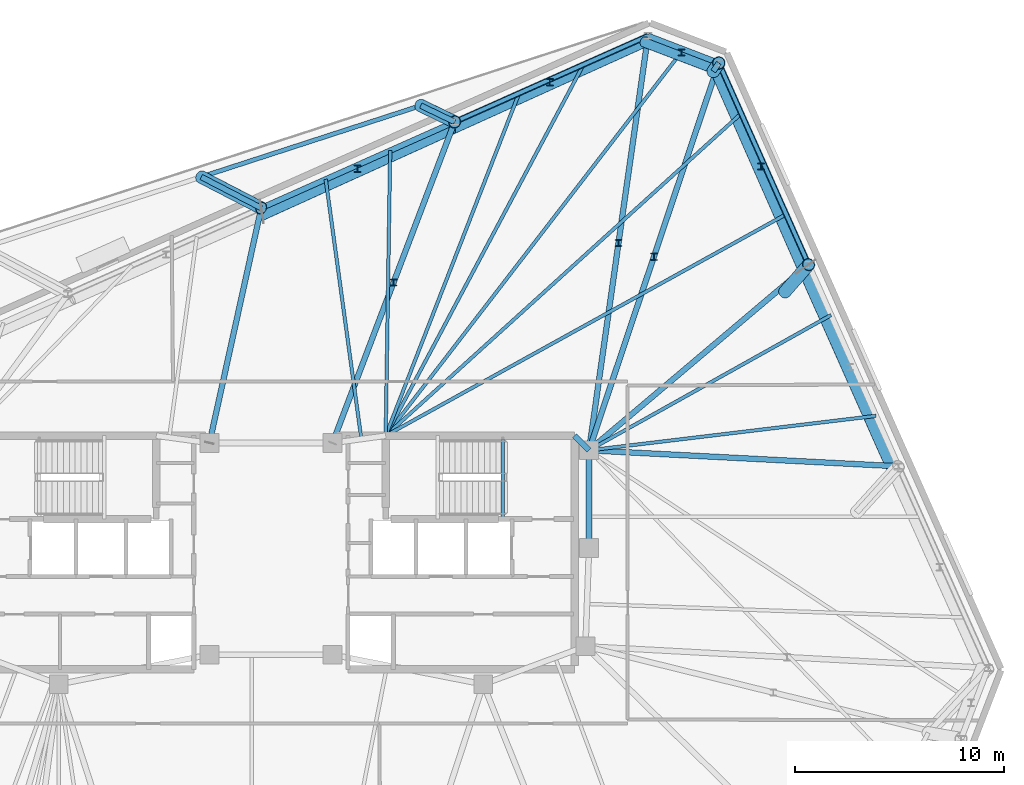
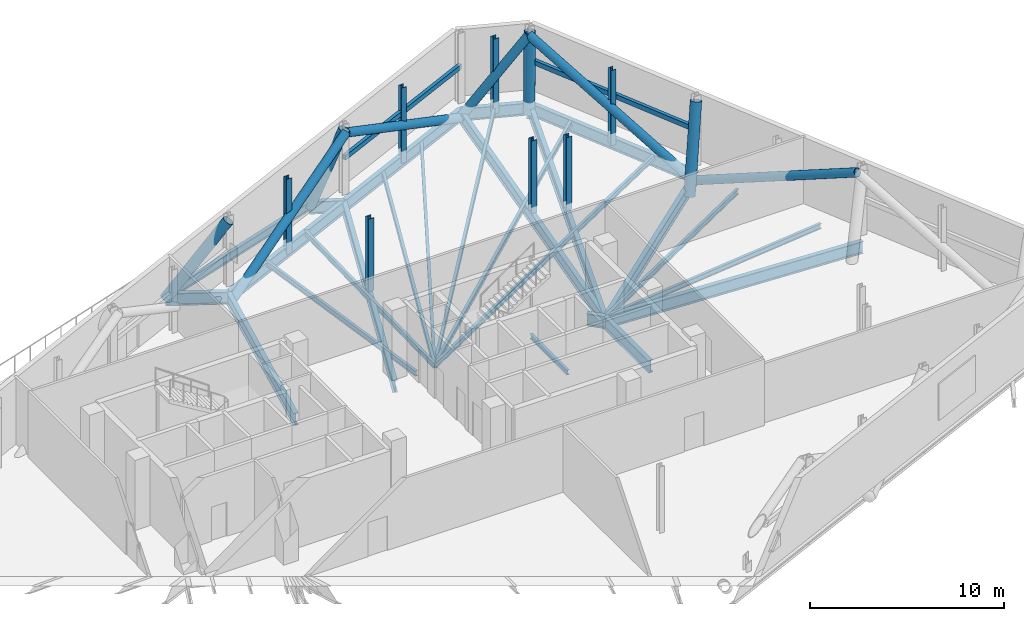
# One storey, part 7 of 15: 26 beams, 18 members.
"""IFC4 building model written with IfcOpenShell, lengths in metres."""

from ifc_helpers import new_model, si_unit, direction, frame, origin, origin_2d, place, context, subcontext, project, spatial, hollow_rectangle, hollow_circle, i_section, extrude, material, material_profile, profile_set, type_object, element, save


model = new_model("IFC4")

# Units and contexts
model_context = context("Model", 3, precision=1e-05, world=origin(), true_north=direction((0.0, 1.0)))
body_context = subcontext(model_context, "Body", "Model", "MODEL_VIEW")
ifc_project = project(units=[si_unit("LENGTHUNIT", "METRE"), si_unit("AREAUNIT", "SQUARE_METRE"), si_unit("VOLUMEUNIT", "CUBIC_METRE"), si_unit("PLANEANGLEUNIT", "RADIAN"), si_unit("MASSUNIT", "GRAM", prefix="KILO")], contexts=[model_context])

# Site, building, storey
site_placement = place(None, origin())
site = spatial("IfcSite", under=ifc_project, at=site_placement, CompositionType="ELEMENT")
building_placement = place(site_placement, origin())
building = spatial("IfcBuilding", under=site, at=building_placement, Name="Menara Jurai Vektor", CompositionType="ELEMENT")
storey_placement = place(building_placement, frame((0.0, 0.0, 254.449951171875)))
storey = spatial("IfcBuildingStorey", under=building, at=storey_placement, Name="L68", CompositionType="ELEMENT", Elevation=254.449951171875)

# Beams
ifc_material_1 = material(Name="Steel S355", Category="steel")
ifc_material_profile_1 = material_profile(ifc_material_1, i_section(OverallWidth=0.2109375, OverallDepth=0.5390625, WebThickness=0.011962890625, FlangeThickness=0.01904296875, FilletRadius=0.012939453125, at=origin_2d()), Name="UKB 533x210x109")
ifc_profile_set_1 = profile_set([ifc_material_profile_1], Name="Steel S355")
beam_type_1 = type_object("IfcBeamType", Name="STR-BM-533", PredefinedType="BEAM", material=ifc_profile_set_1)
beam_1_placement = place(storey_placement, frame((7.18359375, 21.4296875, -0.674560546875), z_axis=(-0.951057401967, -0.309014268544, 0.0), x_axis=(0.309014268544, -0.951057401967, 0.0)))
element("IfcBeam", 1, at=beam_1_placement, inside=storey, type_object=beam_type_1, Name="Step Terrace Edge Beam L68-12", PredefinedType="BEAM", context=body_context, shape_type="SweptSolid", body=[
    extrude(i_section(OverallWidth=0.2109375, OverallDepth=0.5390625, WebThickness=0.011962890625, FlangeThickness=0.01904296875, FilletRadius=0.012939453125, at=origin_2d()), origin(), (0.0, 0.0, 1.0), 11.071044921875),
])
ifc_material_2 = material(Name="Steel S460", Category="steel")
ifc_material_profile_2 = material_profile(ifc_material_2, i_section(OverallWidth=0.26806640625, OverallDepth=0.77001953125, WebThickness=0.01611328125, FlangeThickness=0.02490234375, FilletRadius=0.01708984375, at=origin_2d()), Name="UKB 762x267x197")
ifc_profile_set_2 = profile_set([ifc_material_profile_2], Name="Steel S460")
beam_type_2 = type_object("IfcBeamType", Name="STR-BM-TR762", PredefinedType="BEAM", material=ifc_profile_set_2)
beam_2_placement = place(storey_placement, frame((14.56005859375, 5.60009765625, -0.7900390625), z_axis=(0.701871936926, -0.712303154672, 0.0), x_axis=(0.712303154672, 0.701871936926, 0.0)))
element("IfcBeam", 2, at=beam_2_placement, inside=storey, type_object=beam_type_2, Name="Core Ring Header Girder L68-CHE-N2", PredefinedType="BEAM", context=body_context, shape_type="SweptSolid", body=[
    extrude(i_section(OverallWidth=0.26806640625, OverallDepth=0.77001953125, WebThickness=0.01611328125, FlangeThickness=0.02490234375, FilletRadius=0.01708984375, at=origin_2d()), origin(), (0.0, 0.0, 1.0), 0.98291015625),
])
beam_3_placement = place(storey_placement, frame((15.25, 0.219970703125, -0.7900390625), z_axis=(0.0, 1.0, 0.0), x_axis=(-1.0, 0.0, 0.0)))
element("IfcBeam", 3, at=beam_3_placement, inside=storey, type_object=beam_type_2, Name="Core Ring Header Girder L68-CHE-E1", PredefinedType="BEAM", context=body_context, shape_type="SweptSolid", body=[
    extrude(i_section(OverallWidth=0.26806640625, OverallDepth=0.77001953125, WebThickness=0.01611328125, FlangeThickness=0.02490234375, FilletRadius=0.01708984375, at=origin_2d()), origin(), (0.0, 0.0, 1.0), 4.679931640625),
])
beam_4_placement = place(storey_placement, frame((30.086181640625, 4.13330078125, -0.7900390625), z_axis=(-0.998667716832, 0.051602241782, 0.0), x_axis=(-0.051602241782, -0.998667716832, 0.0)))
element("IfcBeam", 4, at=beam_4_placement, inside=storey, type_object=beam_type_2, Name="Outrigger Transfer Girder L68-E2", PredefinedType="BEAM", context=body_context, shape_type="SweptSolid", body=[
    extrude(i_section(OverallWidth=0.26806640625, OverallDepth=0.77001953125, WebThickness=0.01611328125, FlangeThickness=0.02490234375, FilletRadius=0.01708984375, at=origin_2d()), origin(), (0.0, 0.0, 1.0), 14.85595703125),
])
beam_5_placement = place(storey_placement, frame((25.781005859375, 13.80322265625, -0.7900390625), z_axis=(-0.40673543049, 0.91354599752, 0.0), x_axis=(-0.91354599752, -0.40673543049, 0.0)))
element("IfcBeam", 5, at=beam_5_placement, inside=storey, type_object=beam_type_2, Name="Belt Truss Bottom Chord L68-09", PredefinedType="BEAM", context=body_context, shape_type="SweptSolid", body=[
    extrude(i_section(OverallWidth=0.26806640625, OverallDepth=0.77001953125, WebThickness=0.01611328125, FlangeThickness=0.02490234375, FilletRadius=0.01708984375, at=origin_2d()), origin(), (0.0, 0.0, 1.0), 10.585205078125),
])
beam_6_placement = place(storey_placement, frame((25.781005859375, 13.80322265625, -0.7900390625), z_axis=(-0.763655500673, -0.6456239434, 0.0), x_axis=(0.6456239434, -0.763655500673, 0.0)))
element("IfcBeam", 6, at=beam_6_placement, inside=storey, type_object=beam_type_2, Name="Outrigger Transfer Girder L68-E3", PredefinedType="BEAM", context=body_context, shape_type="SweptSolid", body=[
    extrude(i_section(OverallWidth=0.26806640625, OverallDepth=0.77001953125, WebThickness=0.01611328125, FlangeThickness=0.02490234375, FilletRadius=0.01708984375, at=origin_2d()), origin(), (0.0, 0.0, 1.0), 13.790283203125),
])
beam_7_placement = place(storey_placement, frame((21.4755859375, 23.473388671875, -0.7900390625), z_axis=(-0.933570293083, 0.358394346877, 0.0), x_axis=(-0.358394346877, -0.933570293083, 0.0)))
element("IfcBeam", 7, at=beam_7_placement, inside=storey, type_object=beam_type_2, Name="Belt Truss Bottom Chord L68-10", PredefinedType="BEAM", context=body_context, shape_type="SweptSolid", body=[
    extrude(i_section(OverallWidth=0.26806640625, OverallDepth=0.77001953125, WebThickness=0.01611328125, FlangeThickness=0.02490234375, FilletRadius=0.01708984375, at=origin_2d()), origin(), (0.0, 0.0, 1.0), 3.6376953125),
])
beam_8_placement = place(storey_placement, frame((21.205810546875, 23.071044921875, -0.7900390625), z_axis=(0.556908038617, 0.830574160761, 0.0), x_axis=(-0.830574160761, 0.556908038617, 0.0)))
element("IfcBeam", 8, at=beam_8_placement, inside=storey, type_object=beam_type_2, Name="Cantilever Transfer Girder L68-E4", PredefinedType="BEAM", context=body_context, shape_type="SweptSolid", body=[
    extrude(i_section(OverallWidth=0.26806640625, OverallDepth=0.77001953125, WebThickness=0.01611328125, FlangeThickness=0.02490234375, FilletRadius=0.01708984375, at=origin_2d()), origin(), (0.0, 0.0, 1.0), 0.484375),
])
beam_9_placement = place(storey_placement, frame((21.4755859375, 23.473388671875, -0.7900390625), z_axis=(-0.317808893183, -0.948154790851, 0.0), x_axis=(0.948154790851, -0.317808893183, 0.0)))
element("IfcBeam", 9, at=beam_9_placement, inside=storey, type_object=beam_type_2, Name="Outrigger Transfer Girder L68-E4", PredefinedType="BEAM", context=body_context, shape_type="SweptSolid", body=[
    extrude(i_section(OverallWidth=0.26806640625, OverallDepth=0.77001953125, WebThickness=0.01611328125, FlangeThickness=0.02490234375, FilletRadius=0.01708984375, at=origin_2d()), origin(), (0.0, 0.0, 1.0), 19.589111328125),
])
beam_10_placement = place(storey_placement, frame((18.07958984375, 24.777099609375, -0.7900390625), z_axis=(-0.913545561407, -0.406736410017, 0.0), x_axis=(0.406736410017, -0.913545561407, 0.0)))
element("IfcBeam", 10, at=beam_10_placement, inside=storey, type_object=beam_type_2, Name="Belt Truss Bottom Chord L68-11", PredefinedType="BEAM", context=body_context, shape_type="SweptSolid", body=[
    extrude(i_section(OverallWidth=0.26806640625, OverallDepth=0.77001953125, WebThickness=0.01611328125, FlangeThickness=0.02490234375, FilletRadius=0.01708984375, at=origin_2d()), origin(), (0.0, 0.0, 1.0), 10.1513671875),
])
beam_11_placement = place(storey_placement, frame((18.07958984375, 24.777099609375, -0.7900390625), z_axis=(-0.140932755913, -0.990019170678, 0.0), x_axis=(0.990019170678, -0.140932755913, 0.0)))
element("IfcBeam", 11, at=beam_11_placement, inside=storey, type_object=beam_type_2, Name="Outrigger Transfer Girder L68-N1", PredefinedType="BEAM", context=body_context, shape_type="SweptSolid", body=[
    extrude(i_section(OverallWidth=0.26806640625, OverallDepth=0.77001953125, WebThickness=0.01611328125, FlangeThickness=0.02490234375, FilletRadius=0.01708984375, at=origin_2d()), origin(), (0.0, 0.0, 1.0), 20.07763671875),
])
beam_12_placement = place(storey_placement, frame((8.805908203125, 20.648193359375, -0.7900390625), z_axis=(-0.913541582548, -0.406745346568, 0.0), x_axis=(0.406745346568, -0.913541582548, 0.0)))
element("IfcBeam", 12, at=beam_12_placement, inside=storey, type_object=beam_type_2, Name="Belt Truss Bottom Chord L68-12", PredefinedType="BEAM", context=body_context, shape_type="SweptSolid", body=[
    extrude(i_section(OverallWidth=0.26806640625, OverallDepth=0.77001953125, WebThickness=0.01611328125, FlangeThickness=0.02490234375, FilletRadius=0.01708984375, at=origin_2d()), origin(), (0.0, 0.0, 1.0), 10.151123046875),
])
beam_13_placement = place(storey_placement, frame((7.18359375, 21.4296875, -0.7900390625), z_axis=(0.900919219341, -0.433986820333, 0.0), x_axis=(0.433986820333, 0.900919219341, 0.0)))
element("IfcBeam", 13, at=beam_13_placement, inside=storey, type_object=beam_type_2, Name="Cantilever Transfer Girder L68-N2", PredefinedType="BEAM", context=body_context, shape_type="SweptSolid", body=[
    extrude(i_section(OverallWidth=0.26806640625, OverallDepth=0.77001953125, WebThickness=0.01611328125, FlangeThickness=0.02490234375, FilletRadius=0.01708984375, at=origin_2d()), origin(), (0.0, 0.0, 1.0), 1.80078125),
])
beam_14_placement = place(storey_placement, frame((8.805908203125, 20.648193359375, -0.7900390625), z_axis=(-0.355464051758, -0.934689952823, 0.0), x_axis=(0.934689952823, -0.355464051758, 0.0)))
element("IfcBeam", 14, at=beam_14_placement, inside=storey, type_object=beam_type_2, Name="Outrigger Transfer Girder L68-N2", PredefinedType="BEAM", context=body_context, shape_type="SweptSolid", body=[
    extrude(i_section(OverallWidth=0.26806640625, OverallDepth=0.77001953125, WebThickness=0.01611328125, FlangeThickness=0.02490234375, FilletRadius=0.01708984375, at=origin_2d()), origin(), (0.0, 0.0, 1.0), 16.47412109375),
])
beam_15_placement = place(storey_placement, frame((-3.345703125, 18.008544921875, -0.7900390625), z_axis=(0.888148727308, -0.459556131697, 0.0), x_axis=(0.459556131697, 0.888148727308, 0.0)))
element("IfcBeam", 15, at=beam_15_placement, inside=storey, type_object=beam_type_2, Name="Cantilever Transfer Girder L68-N3", PredefinedType="BEAM", context=body_context, shape_type="SweptSolid", body=[
    extrude(i_section(OverallWidth=0.26806640625, OverallDepth=0.77001953125, WebThickness=0.01611328125, FlangeThickness=0.02490234375, FilletRadius=0.01708984375, at=origin_2d()), origin(), (0.0, 0.0, 1.0), 3.24072265625),
])
beam_16_placement = place(storey_placement, frame((-0.467529296875, 16.519287109375, -0.7900390625), z_axis=(-0.215124522255, -0.976586626943, 0.0), x_axis=(0.976586626943, -0.215124522255, 0.0)))
element("IfcBeam", 16, at=beam_16_placement, inside=storey, type_object=beam_type_2, Name="Outrigger Transfer Girder L68-N3", PredefinedType="BEAM", context=body_context, shape_type="SweptSolid", body=[
    extrude(i_section(OverallWidth=0.26806640625, OverallDepth=0.77001953125, WebThickness=0.01611328125, FlangeThickness=0.02490234375, FilletRadius=0.01708984375, at=origin_2d()), origin(), (0.0, 0.0, 1.0), 11.53955078125),
])

# Members
ifc_material_profile_3 = material_profile(ifc_material_2, hollow_circle(Radius=0.25390625, WallThickness=0.02001953125, at=origin_2d()), Name="CHS 508x20")
ifc_profile_set_3 = profile_set([ifc_material_profile_3], Name="Steel S460")
member_type_1 = type_object("IfcMemberType", Name="STR-BR-508", PredefinedType="BRACE", material=ifc_profile_set_3)
member_1_placement = place(storey_placement, frame((25.50146484375, 13.609619140625, -0.7900390625), z_axis=(0.369567481954, -0.830063326807, 0.417629919633), x_axis=(0.913545671014, 0.406736163836, 0.0)))
element("IfcMember", 17, at=member_1_placement, inside=storey, type_object=member_type_1, Name="Belt Truss Web Diagonal L68-08", PredefinedType="BRACE", context=body_context, shape_type="SweptSolid", body=[
    extrude(hollow_circle(Radius=0.25390625, WallThickness=0.02001953125, at=origin_2d()), origin(), (0.0, 0.0, 1.0), 11.510498046875),
])
member_2_placement = place(storey_placement, frame((25.50146484375, 13.609619140625, -0.7900390625), z_axis=(-0.366660881006, 0.831714850541, 0.416905511752), x_axis=(-0.915028335647, -0.403389569726, 0.0)))
element("IfcMember", 18, at=member_2_placement, inside=storey, type_object=member_type_1, Name="Belt Truss Web Diagonal L68-09", PredefinedType="BRACE", context=body_context, shape_type="SweptSolid", body=[
    extrude(hollow_circle(Radius=0.25390625, WallThickness=0.02001953125, at=origin_2d()), origin(), (0.0, 0.0, 1.0), 11.530517578125),
])
member_3_placement = place(storey_placement, frame((17.90966796875, 24.482421875, -0.7900390625), z_axis=(0.560121276938, -0.213576978666, 0.800405540526), x_axis=(0.356282939978, 0.934378117617, 0.0)))
element("IfcMember", 19, at=member_3_placement, inside=storey, type_object=member_type_1, Name="Belt Truss Web Diagonal L68-10", PredefinedType="BRACE", context=body_context, shape_type="SweptSolid", body=[
    extrude(hollow_circle(Radius=0.25390625, WallThickness=0.02001953125, at=origin_2d()), origin(), (0.0, 0.0, 1.0), 6.005859375),
])
member_4_placement = place(storey_placement, frame((17.90966796875, 24.482421875, -0.7900390625), z_axis=(-0.822494297747, -0.372286662782, 0.430006710282), x_axis=(0.412357187345, -0.911022255516, 0.0)))
element("IfcMember", 20, at=member_4_placement, inside=storey, type_object=member_type_1, Name="Belt Truss Web Diagonal L68-11", PredefinedType="BRACE", context=body_context, shape_type="SweptSolid", body=[
    extrude(hollow_circle(Radius=0.25390625, WallThickness=0.02001953125, at=origin_2d()), origin(), (0.0, 0.0, 1.0), 11.17919921875),
])
member_5_placement = place(storey_placement, frame((-0.41650390625, 16.18310546875, -0.7900390625), z_axis=(0.821316804625, 0.372142021495, 0.432376019546), x_axis=(-0.412714592074, 0.910860398463, 0.0)))
element("IfcMember", 21, at=member_5_placement, inside=storey, type_object=member_type_1, Name="Belt Truss Web Diagonal L68-12", PredefinedType="BRACE", context=body_context, shape_type="SweptSolid", body=[
    extrude(hollow_circle(Radius=0.25390625, WallThickness=0.02001953125, at=origin_2d()), origin(), (0.0, 0.0, 1.0), 11.117919921875),
])
ifc_material_profile_4 = material_profile(ifc_material_2, hollow_rectangle(XDim=0.199951171875, YDim=0.300048828125, WallThickness=0.012451171875, at=origin_2d()), Name="RHS 300x200x12.5")
ifc_profile_set_4 = profile_set([ifc_material_profile_4], Name="Steel S460")
member_type_2 = type_object("IfcMemberType", Name="STR-CH-RHS300", PredefinedType="CHORD", material=ifc_profile_set_4)
member_6_placement = place(storey_placement, frame((25.781005859375, 13.80322265625, 2.22998046875), z_axis=(-0.40673543049, 0.91354599752, 0.0), x_axis=(-0.91354599752, -0.40673543049, 0.0)))
element("IfcMember", 22, at=member_6_placement, inside=storey, type_object=member_type_2, Name="Belt Truss Mid Chord L68-09", PredefinedType="CHORD", context=body_context, shape_type="SweptSolid", body=[
    extrude(hollow_rectangle(XDim=0.199951171875, YDim=0.300048828125, WallThickness=0.012451171875, at=origin_2d()), origin(), (0.0, 0.0, 1.0), 10.585205078125),
])
member_7_placement = place(storey_placement, frame((18.07958984375, 24.777099609375, 2.22998046875), z_axis=(-0.913545561407, -0.406736410017, 0.0), x_axis=(0.406736410017, -0.913545561407, 0.0)))
element("IfcMember", 23, at=member_7_placement, inside=storey, type_object=member_type_2, Name="Belt Truss Mid Chord L68-11", PredefinedType="CHORD", context=body_context, shape_type="SweptSolid", body=[
    extrude(hollow_rectangle(XDim=0.199951171875, YDim=0.300048828125, WallThickness=0.012451171875, at=origin_2d()), origin(), (0.0, 0.0, 1.0), 10.1513671875),
])

# Beams
ifc_material_profile_5 = material_profile(ifc_material_1, i_section(OverallWidth=0.1650390625, OverallDepth=0.330078125, WebThickness=0.009033203125, FlangeThickness=0.013916015625, at=origin_2d()), Name="PG 330x165x46")
ifc_profile_set_5 = profile_set([ifc_material_profile_5], Name="Steel S355")
beam_type_3 = type_object("IfcBeamType", Name="STR-JS-330", PredefinedType="JOIST", material=ifc_profile_set_5)
beam_17_placement = place(storey_placement, frame((29.010009765625, 6.55078125, -0.570068359375), z_axis=(-0.992879589053, -0.119122296999, 0.0), x_axis=(0.119122296999, -0.992879589053, 0.0)))
element("IfcBeam", 24, at=beam_17_placement, inside=storey, type_object=beam_type_3, Name="Radial Secondary Floor Joist L68-JS10", PredefinedType="JOIST", context=body_context, shape_type="SweptSolid", body=[
    extrude(i_section(OverallWidth=0.1650390625, OverallDepth=0.330078125, WebThickness=0.009033203125, FlangeThickness=0.013916015625, at=origin_2d()), origin(), (0.0, 0.0, 1.0), 13.858642578125),
])
beam_18_placement = place(storey_placement, frame((26.857177734375, 11.3857421875, -0.570068359375), z_axis=(-0.872960269613, -0.487791315705, 0.0), x_axis=(0.487791315705, -0.872960269613, 0.0)))
element("IfcBeam", 25, at=beam_18_placement, inside=storey, type_object=beam_type_3, Name="Radial Secondary Floor Joist L68-JS11", PredefinedType="JOIST", context=body_context, shape_type="SweptSolid", body=[
    extrude(i_section(OverallWidth=0.1650390625, OverallDepth=0.330078125, WebThickness=0.009033203125, FlangeThickness=0.013916015625, at=origin_2d()), origin(), (0.0, 0.0, 1.0), 13.29638671875),
])
beam_19_placement = place(storey_placement, frame((24.70458984375, 16.220703125, -0.570068359375), z_axis=(-0.87509599458, -0.483949377797, 0.0), x_axis=(0.483949377797, -0.87509599458, 0.0)))
element("IfcBeam", 26, at=beam_19_placement, inside=storey, type_object=beam_type_3, Name="Radial Secondary Floor Joist L68-JS12", PredefinedType="JOIST", context=body_context, shape_type="SweptSolid", body=[
    extrude(i_section(OverallWidth=0.1650390625, OverallDepth=0.330078125, WebThickness=0.009033203125, FlangeThickness=0.013916015625, at=origin_2d()), origin(), (0.0, 0.0, 1.0), 21.94580078125),
])
beam_20_placement = place(storey_placement, frame((22.552001953125, 21.055908203125, -0.570068359375), z_axis=(-0.74093432875, -0.67157748658, 0.0), x_axis=(0.67157748658, -0.74093432875, 0.0)))
element("IfcBeam", 27, at=beam_20_placement, inside=storey, type_object=beam_type_3, Name="Radial Secondary Floor Joist L68-JS13", PredefinedType="JOIST", context=body_context, shape_type="SweptSolid", body=[
    extrude(i_section(OverallWidth=0.1650390625, OverallDepth=0.330078125, WebThickness=0.009033203125, FlangeThickness=0.013916015625, at=origin_2d()), origin(), (0.0, 0.0, 1.0), 23.01416015625),
])
beam_21_placement = place(storey_placement, frame((19.777587890625, 24.125244140625, -0.570068359375), z_axis=(-0.610448519134, -0.792055935832, 0.0), x_axis=(0.792055935832, -0.610448519134, 0.0)))
element("IfcBeam", 28, at=beam_21_placement, inside=storey, type_object=beam_type_3, Name="Radial Secondary Floor Joist L68-JS14", PredefinedType="JOIST", context=body_context, shape_type="SweptSolid", body=[
    extrude(i_section(OverallWidth=0.1650390625, OverallDepth=0.330078125, WebThickness=0.009033203125, FlangeThickness=0.013916015625, at=origin_2d()), origin(), (0.0, 0.0, 1.0), 23.388671875),
])
beam_22_placement = place(storey_placement, frame((14.98828125, 23.400634765625, -0.570068359375), z_axis=(-0.470382173413, -0.882462809945, 0.0), x_axis=(0.882462809945, -0.470382173413, 0.0)))
element("IfcBeam", 29, at=beam_22_placement, inside=storey, type_object=beam_type_3, Name="Radial Secondary Floor Joist L68-JS15", PredefinedType="JOIST", context=body_context, shape_type="SweptSolid", body=[
    extrude(i_section(OverallWidth=0.1650390625, OverallDepth=0.330078125, WebThickness=0.009033203125, FlangeThickness=0.013916015625, at=origin_2d()), origin(), (0.0, 0.0, 1.0), 20.17138671875),
])
beam_23_placement = place(storey_placement, frame((11.897216796875, 22.0244140625, -0.570068359375), z_axis=(-0.36293816309, -0.931813226872, 0.0), x_axis=(0.931813226872, -0.36293816309, 0.0)))
element("IfcBeam", 30, at=beam_23_placement, inside=storey, type_object=beam_type_3, Name="Radial Secondary Floor Joist L68-JS16", PredefinedType="JOIST", context=body_context, shape_type="SweptSolid", body=[
    extrude(i_section(OverallWidth=0.1650390625, OverallDepth=0.330078125, WebThickness=0.009033203125, FlangeThickness=0.013916015625, at=origin_2d()), origin(), (0.0, 0.0, 1.0), 17.626220703125),
])
beam_24_placement = place(storey_placement, frame((5.71484375, 19.27197265625, -0.570068359375), z_axis=(-0.01571234584, -0.999876553475, 0.0), x_axis=(0.999876553475, -0.01571234584, 0.0)))
element("IfcBeam", 31, at=beam_24_placement, inside=storey, type_object=beam_type_3, Name="Radial Secondary Floor Joist L68-JS17", PredefinedType="JOIST", context=body_context, shape_type="SweptSolid", body=[
    extrude(i_section(OverallWidth=0.1650390625, OverallDepth=0.330078125, WebThickness=0.009033203125, FlangeThickness=0.013916015625, at=origin_2d()), origin(), (0.0, 0.0, 1.0), 13.673583984375),
])
beam_25_placement = place(storey_placement, frame((2.62353515625, 17.8955078125, -0.570068359375), z_axis=(0.13599011119, -0.990710194587, 0.0), x_axis=(0.990710194587, 0.13599011119, 0.0)))
element("IfcBeam", 32, at=beam_25_placement, inside=storey, type_object=beam_type_3, Name="Radial Secondary Floor Joist L68-JS18", PredefinedType="JOIST", context=body_context, shape_type="SweptSolid", body=[
    extrude(i_section(OverallWidth=0.1650390625, OverallDepth=0.330078125, WebThickness=0.009033203125, FlangeThickness=0.013916015625, at=origin_2d()), origin(), (0.0, 0.0, 1.0), 12.572265625),
])
ifc_material_profile_6 = material_profile(ifc_material_1, i_section(OverallWidth=0.1650390625, OverallDepth=0.302978515625, WebThickness=0.006103515625, FlangeThickness=0.010009765625, FilletRadius=0.009033203125, at=origin_2d()), Name="UKB 305x165x40")
ifc_profile_set_6 = profile_set([ifc_material_profile_6], Name="Steel S355")
beam_type_4 = type_object("IfcBeamType", Name="STR-LN-305", PredefinedType="LINTEL", material=ifc_profile_set_6)
beam_26_placement = place(storey_placement, frame((11.1201171875, 1.60009765625, -0.556396484375), z_axis=(0.0, 1.0, 0.0), x_axis=(-1.0, 0.0, 0.0)))
element("IfcBeam", 33, at=beam_26_placement, inside=storey, type_object=beam_type_4, Name="Stair Well Floor Trimmer ST2 L68", PredefinedType="LINTEL", context=body_context, shape_type="SweptSolid", body=[
    extrude(i_section(OverallWidth=0.1650390625, OverallDepth=0.302978515625, WebThickness=0.006103515625, FlangeThickness=0.010009765625, FilletRadius=0.009033203125, at=origin_2d()), origin(), (0.0, 0.0, 1.0), 3.81982421875),
])

# Members
ifc_material_profile_7 = material_profile(ifc_material_2, i_section(OverallWidth=0.31103515625, OverallDepth=0.326904296875, WebThickness=0.01611328125, FlangeThickness=0.02490234375, FilletRadius=0.014892578125, at=origin_2d()), Name="UKC 305x305x158")
ifc_profile_set_7 = profile_set([ifc_material_profile_7], Name="Steel S460")
member_type_3 = type_object("IfcMemberType", Name="STR-POST-305", PredefinedType="POST", material=ifc_profile_set_7)
member_8_placement = place(storey_placement, frame((23.50048828125, 18.51171875, -0.7548828125), z_axis=(0.0, 0.0, 1.0), x_axis=(1.0, 0.0, 0.0)))
element("IfcMember", 34, at=member_8_placement, inside=storey, type_object=member_type_3, Name="Belt Truss Vertical Web Post L68-09", PredefinedType="POST", context=body_context, shape_type="SweptSolid", body=[
    extrude(i_section(OverallWidth=0.31103515625, OverallDepth=0.326904296875, WebThickness=0.01611328125, FlangeThickness=0.02490234375, FilletRadius=0.014892578125, at=origin_2d()), origin(), (0.0, 0.0, 1.0), 4.72998046875),
])
member_9_placement = place(storey_placement, frame((18.36279296875, 14.186767578125, -0.405029296875), z_axis=(0.0, 0.0, 1.0), x_axis=(1.0, 0.0, 0.0)))
element("IfcMember", 35, at=member_9_placement, inside=storey, type_object=member_type_3, Name="Girder Hanger L68-E4", PredefinedType="POST", context=body_context, shape_type="SweptSolid", body=[
    extrude(i_section(OverallWidth=0.31103515625, OverallDepth=0.326904296875, WebThickness=0.01611328125, FlangeThickness=0.02490234375, FilletRadius=0.014892578125, at=origin_2d()), origin(), (0.0, 0.0, 1.0), 4.580078125),
])
member_10_placement = place(storey_placement, frame((19.678955078125, 23.974609375, -0.7548828125), z_axis=(0.0, 0.0, 1.0), x_axis=(1.0, 0.0, 0.0)))
element("IfcMember", 36, at=member_10_placement, inside=storey, type_object=member_type_3, Name="Belt Truss Vertical Web Post L68-10", PredefinedType="POST", context=body_context, shape_type="SweptSolid", body=[
    extrude(i_section(OverallWidth=0.31103515625, OverallDepth=0.326904296875, WebThickness=0.01611328125, FlangeThickness=0.02490234375, FilletRadius=0.014892578125, at=origin_2d()), origin(), (0.0, 0.0, 1.0), 4.72998046875),
])
member_11_placement = place(storey_placement, frame((16.664794921875, 14.83837890625, -0.405029296875), z_axis=(0.0, 0.0, 1.0), x_axis=(1.0, 0.0, 0.0)))
element("IfcMember", 37, at=member_11_placement, inside=storey, type_object=member_type_3, Name="Girder Hanger L68-N1", PredefinedType="POST", context=body_context, shape_type="SweptSolid", body=[
    extrude(i_section(OverallWidth=0.31103515625, OverallDepth=0.326904296875, WebThickness=0.01611328125, FlangeThickness=0.02490234375, FilletRadius=0.014892578125, at=origin_2d()), origin(), (0.0, 0.0, 1.0), 4.580078125),
])
member_12_placement = place(storey_placement, frame((13.370361328125, 22.5478515625, -0.7548828125), z_axis=(0.0, 0.0, 1.0), x_axis=(1.0, 0.0, 0.0)))
element("IfcMember", 38, at=member_12_placement, inside=storey, type_object=member_type_3, Name="Belt Truss Vertical Web Post L68-11", PredefinedType="POST", context=body_context, shape_type="SweptSolid", body=[
    extrude(i_section(OverallWidth=0.31103515625, OverallDepth=0.326904296875, WebThickness=0.01611328125, FlangeThickness=0.02490234375, FilletRadius=0.014892578125, at=origin_2d()), origin(), (0.0, 0.0, 1.0), 4.72998046875),
])
member_13_placement = place(storey_placement, frame((5.8779296875, 12.94921875, -0.405029296875), z_axis=(0.0, 0.0, 1.0), x_axis=(1.0, 0.0, 0.0)))
element("IfcMember", 39, at=member_13_placement, inside=storey, type_object=member_type_3, Name="Girder Hanger L68-N2", PredefinedType="POST", context=body_context, shape_type="SweptSolid", body=[
    extrude(i_section(OverallWidth=0.31103515625, OverallDepth=0.326904296875, WebThickness=0.01611328125, FlangeThickness=0.02490234375, FilletRadius=0.014892578125, at=origin_2d()), origin(), (0.0, 0.0, 1.0), 4.580078125),
])
member_14_placement = place(storey_placement, frame((4.154052734375, 18.404296875, -0.7548828125), z_axis=(0.0, 0.0, 1.0), x_axis=(1.0, 0.0, 0.0)))
element("IfcMember", 40, at=member_14_placement, inside=storey, type_object=member_type_3, Name="Belt Truss Vertical Web Post L68-12", PredefinedType="POST", context=body_context, shape_type="SweptSolid", body=[
    extrude(i_section(OverallWidth=0.31103515625, OverallDepth=0.326904296875, WebThickness=0.01611328125, FlangeThickness=0.02490234375, FilletRadius=0.014892578125, at=origin_2d()), origin(), (0.0, 0.0, 1.0), 4.72998046875),
])
ifc_material_profile_8 = material_profile(ifc_material_2, hollow_circle(Radius=0.304931640625, WallThickness=0.02490234375, at=origin_2d()), Name="CHS 610x25")
ifc_profile_set_8 = profile_set([ifc_material_profile_8], Name="Steel S460")
member_type_4 = type_object("IfcMemberType", Name="STR-ST-610", PredefinedType="STRUT", material=ifc_profile_set_8)
member_15_placement = place(storey_placement, frame((24.641845703125, 12.496826171875, -0.7900390625), z_axis=(0.222924439359, 0.255651237679, 0.940716290393), x_axis=(-0.753701168002, 0.657217277125, 0.0)))
element("IfcMember", 41, at=member_15_placement, inside=storey, type_object=member_type_4, Name="Transfer Outrigger Strut L68-E3", PredefinedType="STRUT", context=body_context, shape_type="SweptSolid", body=[
    extrude(hollow_circle(Radius=0.304931640625, WallThickness=0.02490234375, at=origin_2d()), origin(), (0.0, 0.0, 1.0), 5.110107421875),
])
member_16_placement = place(storey_placement, frame((21.2060546875, 23.071044921875, -0.7900390625), z_axis=(0.055786696204, 0.083275792884, 0.994963811827), x_axis=(-0.830807275301, 0.556560213551, 0.0)))
element("IfcMember", 42, at=member_16_placement, inside=storey, type_object=member_type_4, Name="Transfer Outrigger Strut L68-E4", PredefinedType="STRUT", context=body_context, shape_type="SweptSolid", body=[
    extrude(hollow_circle(Radius=0.304931640625, WallThickness=0.02490234375, at=origin_2d()), origin(), (0.0, 0.0, 1.0), 4.83154296875),
])
member_17_placement = place(storey_placement, frame((7.18359375, 21.4296875, -0.7900390625), z_axis=(0.316035196204, -0.152239076456, 0.936453425622), x_axis=(0.433986820333, 0.900919219341, 0.0)))
element("IfcMember", 43, at=member_17_placement, inside=storey, type_object=member_type_4, Name="Transfer Outrigger Strut L68-N2", PredefinedType="STRUT", context=body_context, shape_type="SweptSolid", body=[
    extrude(hollow_circle(Radius=0.304931640625, WallThickness=0.02490234375, at=origin_2d()), origin(), (0.0, 0.0, 1.0), 5.13330078125),
])
member_18_placement = place(storey_placement, frame((-3.345703125, 18.008544921875, -0.7900390625), z_axis=(0.496456352846, -0.256882157296, 0.829181914288), x_axis=(0.459556131697, 0.888148727308, 0.0)))
element("IfcMember", 44, at=member_18_placement, inside=storey, type_object=member_type_4, Name="Transfer Outrigger Strut L68-N3", PredefinedType="STRUT", context=body_context, shape_type="SweptSolid", body=[
    extrude(hollow_circle(Radius=0.304931640625, WallThickness=0.02490234375, at=origin_2d()), origin(), (0.0, 0.0, 1.0), 5.79736328125),
])

save(model, "model.ifc")
